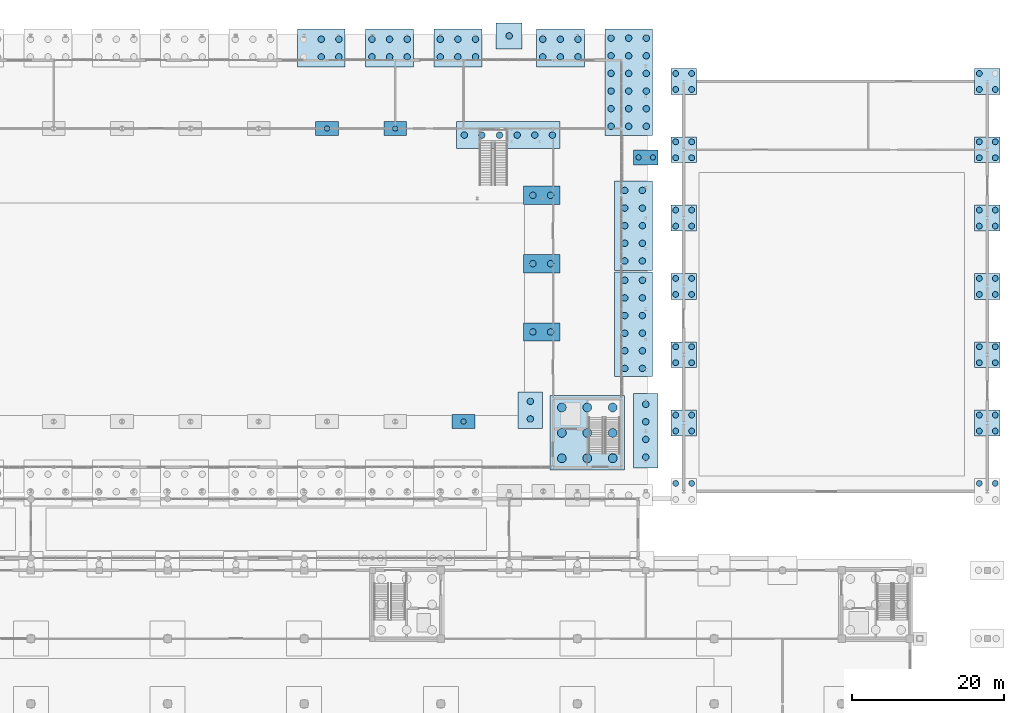
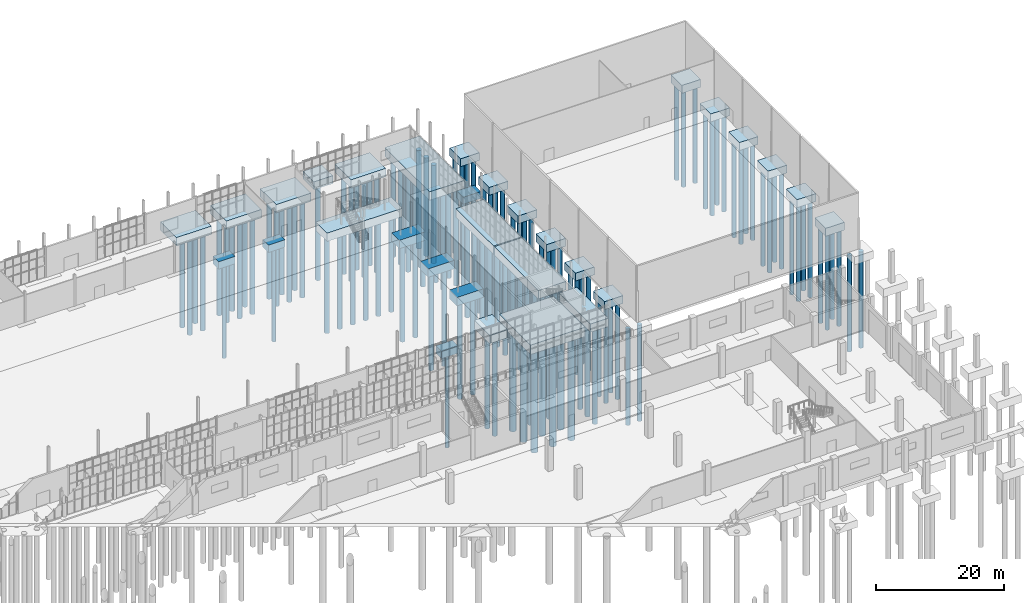
# One storey, part 7 of 131: 146 piles, 31 footings.
"""IFC4 building model written with IfcOpenShell, lengths in metres."""

from ifc_helpers import new_model, si_unit, direction, frame, origin, origin_2d, place, context, subcontext, project, spatial, rectangle, circle, extrude, material, material_profile, profile_set, type_object, element, save


model = new_model("IFC4")

# Units and contexts
model_context = context("Model", 3, precision=1e-05, world=origin(), true_north=direction((0.0, 1.0)))
body_context = subcontext(model_context, "Body", "Model", "MODEL_VIEW")
ifc_project = project(units=[si_unit("LENGTHUNIT", "METRE"), si_unit("AREAUNIT", "SQUARE_METRE"), si_unit("VOLUMEUNIT", "CUBIC_METRE"), si_unit("PLANEANGLEUNIT", "RADIAN"), si_unit("MASSUNIT", "GRAM", prefix="KILO")], contexts=[model_context])

# Site, building, storey
site_placement = place(None, origin())
site = spatial("IfcSite", under=ifc_project, at=site_placement, CompositionType="ELEMENT")
building_placement = place(site_placement, origin())
building = spatial("IfcBuilding", under=site, at=building_placement, Name="Cazmaro Siding Exhibition Halls", CompositionType="ELEMENT")
storey_placement = place(building_placement, origin())
storey = spatial("IfcBuildingStorey", under=building, at=storey_placement, Name="L00", CompositionType="ELEMENT", Elevation=0.0)

# Piles
ifc_material_1 = material(Name="Concrete f'c 35 MPa", Category="concrete")
ifc_material_profile_1 = material_profile(ifc_material_1, circle(Radius=0.35009765625, at=origin_2d()), Name="CIDH-700")
ifc_profile_set_1 = profile_set([ifc_material_profile_1], Name="Concrete f'c 35 MPa")
pile_type_1 = type_object("IfcPileType", Name="P-01", PredefinedType="BORED", material=ifc_profile_set_1)
for number, where, z_axis, x_axis, name in (
    (1, (129.0, 111.800048828125, -1.300048828125), (0.0, 0.0, -1.0), (1.0, 0.0, 0.0), "Bored pile P-01 PIL-0533"),
    (2, (138.0, 111.800048828125, -1.300048828125), (0.0, 0.0, -1.0), (1.0, 0.0, 0.0), "Bored pile P-01 PIL-0553"),
    (3, (147.0, 73.199951171875, -1.300048828125), (0.0, 0.0, -1.0), (1.0, 0.0, 0.0), "Bored pile P-01 PIL-0575"),
    (4, (170.054931640625, 108.0, -1.25), (0.0, 0.0, -1.0), (1.0, 0.0, 0.0), "Bored pile P-01 PIL-0659"),
    (5, (171.945068359375, 108.0, -1.25), (0.0, 0.0, -1.0), (1.0, 0.0, 0.0), "Bored pile P-01 PIL-0660"),
):
    element("IfcPile", number, at=place(storey_placement, frame(where, z_axis=z_axis, x_axis=x_axis)), inside=storey, type_object=pile_type_1, Name=name, PredefinedType="BORED", context=body_context, shape_type="SweptSolid", body=[
        extrude(circle(Radius=0.35009765625, at=origin_2d()), origin(), (0.0, 0.0, 1.0), 18.0),
    ])
ifc_material_2 = material(Name="Concrete f'c 35 MPa", Category="concrete")
ifc_material_profile_2 = material_profile(ifc_material_2, circle(Radius=0.389892578125, at=origin_2d()), Name="CIDH-780")
ifc_profile_set_2 = profile_set([ifc_material_profile_2], Name="Concrete f'c 35 MPa")
pile_type_2 = type_object("IfcPileType", Name="P-02", PredefinedType="BORED", material=ifc_profile_set_2)
for number, where, z_axis, x_axis, name in (
    (6, (174.947021484375, 65.052978515625, -1.39990234375), (0.0, 0.0, -1.0), (1.0, 0.0, 0.0), "Bored pile P-02 PIL-0663"),
    (7, (177.052978515625, 65.052978515625, -1.39990234375), (0.0, 0.0, -1.0), (1.0, 0.0, 0.0), "Bored pile P-02 PIL-0664"),
    (8, (174.947021484375, 71.947021484375, -1.39990234375), (0.0, 0.0, -1.0), (1.0, 0.0, 0.0), "Bored pile P-02 PIL-0665"),
    (9, (177.052978515625, 71.947021484375, -1.39990234375), (0.0, 0.0, -1.0), (1.0, 0.0, 0.0), "Bored pile P-02 PIL-0666"),
    (10, (174.947021484375, 74.052978515625, -1.39990234375), (0.0, 0.0, -1.0), (1.0, 0.0, 0.0), "Bored pile P-02 PIL-0667"),
    (11, (177.052978515625, 74.052978515625, -1.39990234375), (0.0, 0.0, -1.0), (1.0, 0.0, 0.0), "Bored pile P-02 PIL-0668"),
    (12, (174.947021484375, 80.947021484375, -1.39990234375), (0.0, 0.0, -1.0), (1.0, 0.0, 0.0), "Bored pile P-02 PIL-0669"),
    (13, (177.052978515625, 80.947021484375, -1.39990234375), (0.0, 0.0, -1.0), (1.0, 0.0, 0.0), "Bored pile P-02 PIL-0670"),
    (14, (174.947021484375, 83.052978515625, -1.39990234375), (0.0, 0.0, -1.0), (1.0, 0.0, 0.0), "Bored pile P-02 PIL-0671"),
    (15, (177.052978515625, 83.052978515625, -1.39990234375), (0.0, 0.0, -1.0), (1.0, 0.0, 0.0), "Bored pile P-02 PIL-0672"),
    (16, (174.947021484375, 89.947021484375, -1.39990234375), (0.0, 0.0, -1.0), (1.0, 0.0, 0.0), "Bored pile P-02 PIL-0673"),
    (17, (177.052978515625, 89.947021484375, -1.39990234375), (0.0, 0.0, -1.0), (1.0, 0.0, 0.0), "Bored pile P-02 PIL-0674"),
    (18, (174.947021484375, 92.052978515625, -1.39990234375), (0.0, 0.0, -1.0), (1.0, 0.0, 0.0), "Bored pile P-02 PIL-0675"),
    (19, (177.052978515625, 92.052978515625, -1.39990234375), (0.0, 0.0, -1.0), (1.0, 0.0, 0.0), "Bored pile P-02 PIL-0676"),
    (20, (174.947021484375, 98.947021484375, -1.39990234375), (0.0, 0.0, -1.0), (1.0, 0.0, 0.0), "Bored pile P-02 PIL-0677"),
    (21, (177.052978515625, 98.947021484375, -1.39990234375), (0.0, 0.0, -1.0), (1.0, 0.0, 0.0), "Bored pile P-02 PIL-0678"),
    (22, (174.947021484375, 101.052978515625, -1.39990234375), (0.0, 0.0, -1.0), (1.0, 0.0, 0.0), "Bored pile P-02 PIL-0679"),
    (23, (177.052978515625, 101.052978515625, -1.39990234375), (0.0, 0.0, -1.0), (1.0, 0.0, 0.0), "Bored pile P-02 PIL-0680"),
    (24, (174.947021484375, 107.947021484375, -1.39990234375), (0.0, 0.0, -1.0), (1.0, 0.0, 0.0), "Bored pile P-02 PIL-0681"),
    (25, (177.052978515625, 107.947021484375, -1.39990234375), (0.0, 0.0, -1.0), (1.0, 0.0, 0.0), "Bored pile P-02 PIL-0682"),
    (26, (174.947021484375, 110.052978515625, -1.39990234375), (0.0, 0.0, -1.0), (1.0, 0.0, 0.0), "Bored pile P-02 PIL-0683"),
    (27, (177.052978515625, 110.052978515625, -1.39990234375), (0.0, 0.0, -1.0), (1.0, 0.0, 0.0), "Bored pile P-02 PIL-0684"),
    (28, (174.947021484375, 116.947021484375, -1.39990234375), (0.0, 0.0, -1.0), (1.0, 0.0, 0.0), "Bored pile P-02 PIL-0685"),
    (29, (177.052978515625, 116.947021484375, -1.39990234375), (0.0, 0.0, -1.0), (1.0, 0.0, 0.0), "Bored pile P-02 PIL-0686"),
    (30, (174.947021484375, 119.052978515625, -1.39990234375), (0.0, 0.0, -1.0), (1.0, 0.0, 0.0), "Bored pile P-02 PIL-0687"),
    (31, (177.052978515625, 119.052978515625, -1.39990234375), (0.0, 0.0, -1.0), (1.0, 0.0, 0.0), "Bored pile P-02 PIL-0688"),
    (32, (214.947021484375, 65.052978515625, -1.39990234375), (0.0, 0.0, -1.0), (1.0, 0.0, 0.0), "Bored pile P-02 PIL-0733"),
    (33, (217.052978515625, 65.052978515625, -1.39990234375), (0.0, 0.0, -1.0), (1.0, 0.0, 0.0), "Bored pile P-02 PIL-0734"),
    (34, (214.947021484375, 71.947021484375, -1.39990234375), (0.0, 0.0, -1.0), (1.0, 0.0, 0.0), "Bored pile P-02 PIL-0735"),
    (35, (217.052978515625, 71.947021484375, -1.39990234375), (0.0, 0.0, -1.0), (1.0, 0.0, 0.0), "Bored pile P-02 PIL-0736"),
    (36, (214.947021484375, 74.052978515625, -1.39990234375), (0.0, 0.0, -1.0), (1.0, 0.0, 0.0), "Bored pile P-02 PIL-0737"),
    (37, (217.052978515625, 74.052978515625, -1.39990234375), (0.0, 0.0, -1.0), (1.0, 0.0, 0.0), "Bored pile P-02 PIL-0738"),
    (38, (214.947021484375, 80.947021484375, -1.39990234375), (0.0, 0.0, -1.0), (1.0, 0.0, 0.0), "Bored pile P-02 PIL-0739"),
    (39, (217.052978515625, 80.947021484375, -1.39990234375), (0.0, 0.0, -1.0), (1.0, 0.0, 0.0), "Bored pile P-02 PIL-0740"),
    (40, (214.947021484375, 83.052978515625, -1.39990234375), (0.0, 0.0, -1.0), (1.0, 0.0, 0.0), "Bored pile P-02 PIL-0741"),
    (41, (217.052978515625, 83.052978515625, -1.39990234375), (0.0, 0.0, -1.0), (1.0, 0.0, 0.0), "Bored pile P-02 PIL-0742"),
    (42, (214.947021484375, 89.947021484375, -1.39990234375), (0.0, 0.0, -1.0), (1.0, 0.0, 0.0), "Bored pile P-02 PIL-0743"),
    (43, (217.052978515625, 89.947021484375, -1.39990234375), (0.0, 0.0, -1.0), (1.0, 0.0, 0.0), "Bored pile P-02 PIL-0744"),
    (44, (214.947021484375, 92.052978515625, -1.39990234375), (0.0, 0.0, -1.0), (1.0, 0.0, 0.0), "Bored pile P-02 PIL-0745"),
    (45, (217.052978515625, 92.052978515625, -1.39990234375), (0.0, 0.0, -1.0), (1.0, 0.0, 0.0), "Bored pile P-02 PIL-0746"),
    (46, (214.947021484375, 98.947021484375, -1.39990234375), (0.0, 0.0, -1.0), (1.0, 0.0, 0.0), "Bored pile P-02 PIL-0747"),
    (47, (217.052978515625, 98.947021484375, -1.39990234375), (0.0, 0.0, -1.0), (1.0, 0.0, 0.0), "Bored pile P-02 PIL-0748"),
    (48, (214.947021484375, 101.052978515625, -1.39990234375), (0.0, 0.0, -1.0), (1.0, 0.0, 0.0), "Bored pile P-02 PIL-0749"),
    (49, (217.052978515625, 101.052978515625, -1.39990234375), (0.0, 0.0, -1.0), (1.0, 0.0, 0.0), "Bored pile P-02 PIL-0750"),
    (50, (214.947021484375, 107.947021484375, -1.39990234375), (0.0, 0.0, -1.0), (1.0, 0.0, 0.0), "Bored pile P-02 PIL-0751"),
    (51, (217.052978515625, 107.947021484375, -1.39990234375), (0.0, 0.0, -1.0), (1.0, 0.0, 0.0), "Bored pile P-02 PIL-0752"),
    (52, (214.947021484375, 110.052978515625, -1.39990234375), (0.0, 0.0, -1.0), (1.0, 0.0, 0.0), "Bored pile P-02 PIL-0753"),
    (53, (217.052978515625, 110.052978515625, -1.39990234375), (0.0, 0.0, -1.0), (1.0, 0.0, 0.0), "Bored pile P-02 PIL-0754"),
    (54, (214.947021484375, 116.947021484375, -1.39990234375), (0.0, 0.0, -1.0), (1.0, 0.0, 0.0), "Bored pile P-02 PIL-0755"),
    (55, (217.052978515625, 116.947021484375, -1.39990234375), (0.0, 0.0, -1.0), (1.0, 0.0, 0.0), "Bored pile P-02 PIL-0756"),
    (56, (214.947021484375, 119.052978515625, -1.39990234375), (0.0, 0.0, -1.0), (1.0, 0.0, 0.0), "Bored pile P-02 PIL-0757"),
):
    element("IfcPile", number, at=place(storey_placement, frame(where, z_axis=z_axis, x_axis=x_axis)), inside=storey, type_object=pile_type_2, Name=name, PredefinedType="BORED", context=body_context, shape_type="SweptSolid", body=[
        extrude(circle(Radius=0.389892578125, at=origin_2d()), origin(), (0.0, 0.0, 1.0), 18.39990234375),
    ])
ifc_material_3 = material(Name="Concrete f'c 35 MPa", Category="concrete")
ifc_material_profile_3 = material_profile(ifc_material_3, circle(Radius=0.429931640625, at=origin_2d()), Name="CIDH-860")
ifc_profile_set_3 = profile_set([ifc_material_profile_3], Name="Concrete f'c 35 MPa")
pile_type_3 = type_object("IfcPileType", Name="P-03", PredefinedType="BORED", material=ifc_profile_set_3)
for number, where, z_axis, x_axis, name in (
    (57, (128.25, 121.239013671875, -1.5), (0.0, 0.0, -1.0), (1.0, 0.0, 0.0), "Bored pile P-03 PIL-0528"),
    (58, (128.25, 123.56103515625, -1.5), (0.0, 0.0, -1.0), (1.0, 0.0, 0.0), "Bored pile P-03 PIL-0529"),
    (59, (130.572021484375, 121.239013671875, -1.5), (0.0, 0.0, -1.0), (1.0, 0.0, 0.0), "Bored pile P-03 PIL-0530"),
    (60, (130.572021484375, 123.56103515625, -1.5), (0.0, 0.0, -1.0), (1.0, 0.0, 0.0), "Bored pile P-03 PIL-0531"),
    (61, (134.927978515625, 121.239013671875, -1.5), (0.0, 0.0, -1.0), (1.0, 0.0, 0.0), "Bored pile P-03 PIL-0546"),
    (62, (134.927978515625, 123.56103515625, -1.5), (0.0, 0.0, -1.0), (1.0, 0.0, 0.0), "Bored pile P-03 PIL-0547"),
    (63, (137.25, 121.239013671875, -1.5), (0.0, 0.0, -1.0), (1.0, 0.0, 0.0), "Bored pile P-03 PIL-0548"),
    (64, (137.25, 123.56103515625, -1.5), (0.0, 0.0, -1.0), (1.0, 0.0, 0.0), "Bored pile P-03 PIL-0549"),
    (65, (139.572021484375, 121.239013671875, -1.5), (0.0, 0.0, -1.0), (1.0, 0.0, 0.0), "Bored pile P-03 PIL-0550"),
    (66, (139.572021484375, 123.56103515625, -1.5), (0.0, 0.0, -1.0), (1.0, 0.0, 0.0), "Bored pile P-03 PIL-0551"),
    (67, (143.927978515625, 121.239013671875, -1.5), (0.0, 0.0, -1.0), (1.0, 0.0, 0.0), "Bored pile P-03 PIL-0567"),
    (68, (143.927978515625, 123.56103515625, -1.5), (0.0, 0.0, -1.0), (1.0, 0.0, 0.0), "Bored pile P-03 PIL-0568"),
    (69, (146.25, 121.239013671875, -1.5), (0.0, 0.0, -1.0), (1.0, 0.0, 0.0), "Bored pile P-03 PIL-0569"),
    (70, (146.25, 123.56103515625, -1.5), (0.0, 0.0, -1.0), (1.0, 0.0, 0.0), "Bored pile P-03 PIL-0570"),
    (71, (148.572021484375, 121.239013671875, -1.5), (0.0, 0.0, -1.0), (1.0, 0.0, 0.0), "Bored pile P-03 PIL-0571"),
    (72, (148.572021484375, 123.56103515625, -1.5), (0.0, 0.0, -1.0), (1.0, 0.0, 0.0), "Bored pile P-03 PIL-0572"),
    (73, (147.094970703125, 110.93505859375, -1.5), (0.0, 0.0, -1.0), (1.0, 0.0, 0.0), "Bored pile P-03 PIL-0576"),
    (74, (149.4169921875, 110.93505859375, -1.5), (0.0, 0.0, -1.0), (1.0, 0.0, 0.0), "Bored pile P-03 PIL-0577"),
    (75, (151.739013671875, 110.93505859375, -1.5), (0.0, 0.0, -1.0), (1.0, 0.0, 0.0), "Bored pile P-03 PIL-0578"),
    (76, (154.06103515625, 110.93505859375, -1.5), (0.0, 0.0, -1.0), (1.0, 0.0, 0.0), "Bored pile P-03 PIL-0579"),
    (77, (156.383056640625, 110.93505859375, -1.5), (0.0, 0.0, -1.0), (1.0, 0.0, 0.0), "Bored pile P-03 PIL-0580"),
    (78, (158.705078125, 110.93505859375, -1.5), (0.0, 0.0, -1.0), (1.0, 0.0, 0.0), "Bored pile P-03 PIL-0581"),
    (79, (153.0, 124.0, -1.39990234375), (0.0, 0.0, -1.0), (1.0, 0.0, 0.0), "Bored pile P-03 PIL-0585"),
    (80, (155.800048828125, 73.5390625, -1.5), (0.0, 0.0, -1.0), (1.0, 0.0, 0.0), "Bored pile P-03 PIL-0586"),
    (81, (155.800048828125, 75.861083984375, -1.5), (0.0, 0.0, -1.0), (1.0, 0.0, 0.0), "Bored pile P-03 PIL-0587"),
    (82, (156.138916015625, 85.0, -1.5), (0.0, 0.0, -1.0), (1.0, 0.0, 0.0), "Bored pile P-03 PIL-0588"),
    (83, (158.4609375, 85.0, -1.5), (0.0, 0.0, -1.0), (1.0, 0.0, 0.0), "Bored pile P-03 PIL-0589"),
    (84, (156.138916015625, 94.0, -1.5), (0.0, 0.0, -1.0), (1.0, 0.0, 0.0), "Bored pile P-03 PIL-0590"),
    (85, (158.4609375, 94.0, -1.5), (0.0, 0.0, -1.0), (1.0, 0.0, 0.0), "Bored pile P-03 PIL-0591"),
    (86, (156.138916015625, 103.0, -1.5), (0.0, 0.0, -1.0), (1.0, 0.0, 0.0), "Bored pile P-03 PIL-0592"),
    (87, (158.4609375, 103.0, -1.5), (0.0, 0.0, -1.0), (1.0, 0.0, 0.0), "Bored pile P-03 PIL-0593"),
    (88, (157.427978515625, 121.239013671875, -1.5), (0.0, 0.0, -1.0), (1.0, 0.0, 0.0), "Bored pile P-03 PIL-0595"),
    (89, (157.427978515625, 123.56103515625, -1.5), (0.0, 0.0, -1.0), (1.0, 0.0, 0.0), "Bored pile P-03 PIL-0596"),
    (90, (159.75, 121.239013671875, -1.5), (0.0, 0.0, -1.0), (1.0, 0.0, 0.0), "Bored pile P-03 PIL-0597"),
    (91, (159.75, 123.56103515625, -1.5), (0.0, 0.0, -1.0), (1.0, 0.0, 0.0), "Bored pile P-03 PIL-0598"),
    (92, (162.072021484375, 121.239013671875, -1.5), (0.0, 0.0, -1.0), (1.0, 0.0, 0.0), "Bored pile P-03 PIL-0599"),
    (93, (162.072021484375, 123.56103515625, -1.5), (0.0, 0.0, -1.0), (1.0, 0.0, 0.0), "Bored pile P-03 PIL-0600"),
    (94, (166.427978515625, 112.094970703125, -1.5), (0.0, 0.0, -1.0), (1.0, 0.0, 0.0), "Bored pile P-03 PIL-0613"),
    (95, (166.427978515625, 114.4169921875, -1.5), (0.0, 0.0, -1.0), (1.0, 0.0, 0.0), "Bored pile P-03 PIL-0614"),
    (96, (166.427978515625, 116.739013671875, -1.5), (0.0, 0.0, -1.0), (1.0, 0.0, 0.0), "Bored pile P-03 PIL-0615"),
    (97, (166.427978515625, 119.06103515625, -1.5), (0.0, 0.0, -1.0), (1.0, 0.0, 0.0), "Bored pile P-03 PIL-0616"),
    (98, (166.427978515625, 121.383056640625, -1.5), (0.0, 0.0, -1.0), (1.0, 0.0, 0.0), "Bored pile P-03 PIL-0617"),
    (99, (166.427978515625, 123.705078125, -1.5), (0.0, 0.0, -1.0), (1.0, 0.0, 0.0), "Bored pile P-03 PIL-0618"),
    (100, (168.75, 112.094970703125, -1.5), (0.0, 0.0, -1.0), (1.0, 0.0, 0.0), "Bored pile P-03 PIL-0619"),
    (101, (168.75, 114.4169921875, -1.5), (0.0, 0.0, -1.0), (1.0, 0.0, 0.0), "Bored pile P-03 PIL-0620"),
    (102, (168.75, 116.739013671875, -1.5), (0.0, 0.0, -1.0), (1.0, 0.0, 0.0), "Bored pile P-03 PIL-0621"),
    (103, (168.75, 119.06103515625, -1.5), (0.0, 0.0, -1.0), (1.0, 0.0, 0.0), "Bored pile P-03 PIL-0622"),
    (104, (168.75, 121.383056640625, -1.5), (0.0, 0.0, -1.0), (1.0, 0.0, 0.0), "Bored pile P-03 PIL-0623"),
    (105, (168.75, 123.705078125, -1.5), (0.0, 0.0, -1.0), (1.0, 0.0, 0.0), "Bored pile P-03 PIL-0624"),
    (106, (171.072021484375, 112.094970703125, -1.5), (0.0, 0.0, -1.0), (1.0, 0.0, 0.0), "Bored pile P-03 PIL-0625"),
    (107, (171.072021484375, 114.4169921875, -1.5), (0.0, 0.0, -1.0), (1.0, 0.0, 0.0), "Bored pile P-03 PIL-0626"),
    (108, (171.072021484375, 116.739013671875, -1.5), (0.0, 0.0, -1.0), (1.0, 0.0, 0.0), "Bored pile P-03 PIL-0627"),
    (109, (171.072021484375, 119.06103515625, -1.5), (0.0, 0.0, -1.0), (1.0, 0.0, 0.0), "Bored pile P-03 PIL-0628"),
    (110, (171.072021484375, 121.383056640625, -1.5), (0.0, 0.0, -1.0), (1.0, 0.0, 0.0), "Bored pile P-03 PIL-0629"),
    (111, (171.072021484375, 123.705078125, -1.5), (0.0, 0.0, -1.0), (1.0, 0.0, 0.0), "Bored pile P-03 PIL-0630"),
    (112, (168.239013671875, 80.195068359375, -1.5), (0.0, 0.0, -1.0), (1.0, 0.0, 0.0), "Bored pile P-03 PIL-0631"),
    (113, (168.239013671875, 82.51708984375, -1.5), (0.0, 0.0, -1.0), (1.0, 0.0, 0.0), "Bored pile P-03 PIL-0632"),
    (114, (168.239013671875, 84.839111328125, -1.5), (0.0, 0.0, -1.0), (1.0, 0.0, 0.0), "Bored pile P-03 PIL-0633"),
    (115, (168.239013671875, 87.160888671875, -1.5), (0.0, 0.0, -1.0), (1.0, 0.0, 0.0), "Bored pile P-03 PIL-0634"),
    (116, (168.239013671875, 89.48291015625, -1.5), (0.0, 0.0, -1.0), (1.0, 0.0, 0.0), "Bored pile P-03 PIL-0635"),
    (117, (168.239013671875, 91.804931640625, -1.5), (0.0, 0.0, -1.0), (1.0, 0.0, 0.0), "Bored pile P-03 PIL-0636"),
    (118, (170.56103515625, 80.195068359375, -1.5), (0.0, 0.0, -1.0), (1.0, 0.0, 0.0), "Bored pile P-03 PIL-0637"),
    (119, (170.56103515625, 82.51708984375, -1.5), (0.0, 0.0, -1.0), (1.0, 0.0, 0.0), "Bored pile P-03 PIL-0638"),
    (120, (170.56103515625, 84.839111328125, -1.5), (0.0, 0.0, -1.0), (1.0, 0.0, 0.0), "Bored pile P-03 PIL-0639"),
    (121, (170.56103515625, 87.160888671875, -1.5), (0.0, 0.0, -1.0), (1.0, 0.0, 0.0), "Bored pile P-03 PIL-0640"),
    (122, (170.56103515625, 89.48291015625, -1.5), (0.0, 0.0, -1.0), (1.0, 0.0, 0.0), "Bored pile P-03 PIL-0641"),
    (123, (170.56103515625, 91.804931640625, -1.5), (0.0, 0.0, -1.0), (1.0, 0.0, 0.0), "Bored pile P-03 PIL-0642"),
    (124, (168.239013671875, 94.35595703125, -1.5), (0.0, 0.0, -1.0), (1.0, 0.0, 0.0), "Bored pile P-03 PIL-0643"),
    (125, (168.239013671875, 96.677978515625, -1.5), (0.0, 0.0, -1.0), (1.0, 0.0, 0.0), "Bored pile P-03 PIL-0644"),
    (126, (168.239013671875, 99.0, -1.5), (0.0, 0.0, -1.0), (1.0, 0.0, 0.0), "Bored pile P-03 PIL-0645"),
    (127, (168.239013671875, 101.322021484375, -1.5), (0.0, 0.0, -1.0), (1.0, 0.0, 0.0), "Bored pile P-03 PIL-0646"),
    (128, (168.239013671875, 103.64404296875, -1.5), (0.0, 0.0, -1.0), (1.0, 0.0, 0.0), "Bored pile P-03 PIL-0647"),
    (129, (170.56103515625, 94.35595703125, -1.5), (0.0, 0.0, -1.0), (1.0, 0.0, 0.0), "Bored pile P-03 PIL-0648"),
    (130, (170.56103515625, 96.677978515625, -1.5), (0.0, 0.0, -1.0), (1.0, 0.0, 0.0), "Bored pile P-03 PIL-0649"),
    (131, (170.56103515625, 99.0, -1.5), (0.0, 0.0, -1.0), (1.0, 0.0, 0.0), "Bored pile P-03 PIL-0650"),
    (132, (170.56103515625, 101.322021484375, -1.5), (0.0, 0.0, -1.0), (1.0, 0.0, 0.0), "Bored pile P-03 PIL-0651"),
    (133, (170.56103515625, 103.64404296875, -1.5), (0.0, 0.0, -1.0), (1.0, 0.0, 0.0), "Bored pile P-03 PIL-0652"),
    (134, (171.0, 68.51708984375, -1.5), (0.0, 0.0, -1.0), (1.0, 0.0, 0.0), "Bored pile P-03 PIL-0655"),
    (135, (171.0, 70.839111328125, -1.5), (0.0, 0.0, -1.0), (1.0, 0.0, 0.0), "Bored pile P-03 PIL-0656"),
    (136, (171.0, 73.160888671875, -1.5), (0.0, 0.0, -1.0), (1.0, 0.0, 0.0), "Bored pile P-03 PIL-0657"),
    (137, (171.0, 75.48291015625, -1.5), (0.0, 0.0, -1.0), (1.0, 0.0, 0.0), "Bored pile P-03 PIL-0658"),
):
    element("IfcPile", number, at=place(storey_placement, frame(where, z_axis=z_axis, x_axis=x_axis)), inside=storey, type_object=pile_type_3, Name=name, PredefinedType="BORED", context=body_context, shape_type="SweptSolid", body=[
        extrude(circle(Radius=0.429931640625, at=origin_2d()), origin(), (0.0, 0.0, 1.0), 18.800048828125),
    ])
ifc_material_4 = material(Name="Concrete f'c 35 MPa", Category="concrete")
ifc_material_profile_4 = material_profile(ifc_material_4, circle(Radius=0.580078125, at=origin_2d()), Name="CIDH-1160")
ifc_profile_set_4 = profile_set([ifc_material_profile_4], Name="Concrete f'c 35 MPa")
pile_type_4 = type_object("IfcPileType", Name="P-06", PredefinedType="BORED", material=ifc_profile_set_4)
for number, where, z_axis, x_axis, name in (
    (138, (159.949951171875, 68.35009765625, -1.699951171875), (0.0, 0.0, -1.0), (1.0, 0.0, 0.0), "Bored pile P-06 PIL-0025"),
    (139, (159.949951171875, 71.699951171875, -1.699951171875), (0.0, 0.0, -1.0), (1.0, 0.0, 0.0), "Bored pile P-06 PIL-0026"),
    (140, (159.949951171875, 75.050048828125, -1.699951171875), (0.0, 0.0, -1.0), (1.0, 0.0, 0.0), "Bored pile P-06 PIL-0027"),
    (141, (163.300048828125, 68.35009765625, -1.699951171875), (0.0, 0.0, -1.0), (1.0, 0.0, 0.0), "Bored pile P-06 PIL-0028"),
    (142, (163.300048828125, 71.699951171875, -1.699951171875), (0.0, 0.0, -1.0), (1.0, 0.0, 0.0), "Bored pile P-06 PIL-0029"),
    (143, (163.300048828125, 75.050048828125, -1.699951171875), (0.0, 0.0, -1.0), (1.0, 0.0, 0.0), "Bored pile P-06 PIL-0030"),
    (144, (166.64990234375, 68.35009765625, -1.699951171875), (0.0, 0.0, -1.0), (1.0, 0.0, 0.0), "Bored pile P-06 PIL-0031"),
    (145, (166.64990234375, 71.699951171875, -1.699951171875), (0.0, 0.0, -1.0), (1.0, 0.0, 0.0), "Bored pile P-06 PIL-0032"),
    (146, (166.64990234375, 75.050048828125, -1.699951171875), (0.0, 0.0, -1.0), (1.0, 0.0, 0.0), "Bored pile P-06 PIL-0033"),
):
    element("IfcPile", number, at=place(storey_placement, frame(where, z_axis=z_axis, x_axis=x_axis)), inside=storey, type_object=pile_type_4, Name=name, PredefinedType="BORED", context=body_context, shape_type="SweptSolid", body=[
        extrude(circle(Radius=0.580078125, at=origin_2d()), origin(), (0.0, 0.0, 1.0), 20.0),
    ])

# Footings
ifc_material_5 = material(Name="Concrete f'c 35 MPa", Category="concrete")
footing_type_1 = type_object("IfcFootingType", Name="PC-01", PredefinedType="PILE_CAP", material=ifc_material_5)
for number, where, z_axis, x_axis, name in (
    (147, (129.0, 111.800048828125, -1.39990234375), (0.0, 0.0, 1.0), (1.0, 0.0, 0.0), "Pile cap PC-01 FTG-0157"),
    (148, (138.0, 111.800048828125, -1.39990234375), (0.0, 0.0, 1.0), (1.0, 0.0, 0.0), "Pile cap PC-01 FTG-0164"),
    (149, (147.0, 73.199951171875, -1.39990234375), (0.0, 0.0, 1.0), (1.0, 0.0, 0.0), "Pile cap PC-01 FTG-0173"),
):
    element("IfcFooting", number, at=place(storey_placement, frame(where, z_axis=z_axis, x_axis=x_axis)), inside=storey, type_object=footing_type_1, Name=name, PredefinedType="PILE_CAP", context=body_context, shape_type="SweptSolid", body=[
        extrude(rectangle(XDim=3.0, YDim=1.800048828125, at=origin_2d()), origin(), (0.0, 0.0, 1.0), 1.39990234375),
    ])
ifc_material_6 = material(Name="Concrete f'c 35 MPa", Category="concrete")
footing_type_2 = type_object("IfcFootingType", Name="PC-02", PredefinedType="PILE_CAP", material=ifc_material_6)
for number, where, z_axis, x_axis, name in (
    (150, (153.0, 124.0, -1.5), (0.0, 0.0, 1.0), (1.0, 0.0, 0.0), "Pile cap PC-02 FTG-0178"),
    (151, (176.0, 73.0, -1.5), (0.0, 0.0, 1.0), (1.0, 0.0, 0.0), "Pile cap PC-02 FTG-0202"),
    (152, (176.0, 82.0, -1.5), (0.0, 0.0, 1.0), (1.0, 0.0, 0.0), "Pile cap PC-02 FTG-0203"),
    (153, (176.0, 91.0, -1.5), (0.0, 0.0, 1.0), (1.0, 0.0, 0.0), "Pile cap PC-02 FTG-0204"),
    (154, (176.0, 100.0, -1.5), (0.0, 0.0, 1.0), (1.0, 0.0, 0.0), "Pile cap PC-02 FTG-0205"),
    (155, (176.0, 109.0, -1.5), (0.0, 0.0, 1.0), (1.0, 0.0, 0.0), "Pile cap PC-02 FTG-0206"),
    (156, (176.0, 118.0, -1.5), (0.0, 0.0, 1.0), (1.0, 0.0, 0.0), "Pile cap PC-02 FTG-0207"),
    (157, (216.0, 73.0, -1.5), (0.0, 0.0, 1.0), (1.0, 0.0, 0.0), "Pile cap PC-02 FTG-0237"),
    (158, (216.0, 82.0, -1.5), (0.0, 0.0, 1.0), (1.0, 0.0, 0.0), "Pile cap PC-02 FTG-0238"),
    (159, (216.0, 91.0, -1.5), (0.0, 0.0, 1.0), (1.0, 0.0, 0.0), "Pile cap PC-02 FTG-0239"),
    (160, (216.0, 100.0, -1.5), (0.0, 0.0, 1.0), (1.0, 0.0, 0.0), "Pile cap PC-02 FTG-0240"),
    (161, (216.0, 109.0, -1.5), (0.0, 0.0, 1.0), (1.0, 0.0, 0.0), "Pile cap PC-02 FTG-0241"),
    (162, (216.0, 118.0, -1.5), (0.0, 0.0, 1.0), (1.0, 0.0, 0.0), "Pile cap PC-02 FTG-0242"),
):
    element("IfcFooting", number, at=place(storey_placement, frame(where, z_axis=z_axis, x_axis=x_axis)), inside=storey, type_object=footing_type_2, Name=name, PredefinedType="PILE_CAP", context=body_context, shape_type="SweptSolid", body=[
        extrude(rectangle(XDim=3.39990234375, YDim=3.39990234375, at=origin_2d()), origin(), (0.0, 0.0, 1.0), 1.5),
    ])
ifc_material_7 = material(Name="Concrete f'c 35 MPa", Category="concrete")
footing_type_3 = type_object("IfcFootingType", Name="PC-12", PredefinedType="PILE_CAP", material=ifc_material_7)
footing_1_placement = place(storey_placement, frame((163.300048828125, 71.699951171875, -1.7998046875), z_axis=(0.0, 0.0, 1.0), x_axis=(1.0, 0.0, 0.0)))
element("IfcFooting", 163, at=footing_1_placement, inside=storey, type_object=footing_type_3, Name="Pile cap PC-12 FTG-0003", PredefinedType="PILE_CAP", context=body_context, shape_type="SweptSolid", body=[
    extrude(rectangle(XDim=9.800048828125, YDim=9.800048828125, at=origin_2d()), origin(), (0.0, 0.0, 1.0), 1.800048828125),
])
ifc_material_8 = material(Name="Concrete f'c 35 MPa", Category="concrete")
footing_type_4 = type_object("IfcFootingType", Name="PC-16", PredefinedType="PILE_CAP", material=ifc_material_8)
footing_2_placement = place(storey_placement, frame((171.0, 108.0, -1.35009765625), z_axis=(0.0, 0.0, 1.0), x_axis=(1.0, 0.0, 0.0)))
element("IfcFooting", 164, at=footing_2_placement, inside=storey, type_object=footing_type_4, Name="Pile cap PC-16 FTG-0200", PredefinedType="PILE_CAP", context=body_context, shape_type="SweptSolid", body=[
    extrude(rectangle(XDim=3.199951171875, YDim=2.0, at=origin_2d()), origin(), (0.0, 0.0, 1.0), 1.35009765625),
])
ifc_material_9 = material(Name="Concrete f'c 35 MPa", Category="concrete")
footing_type_5 = type_object("IfcFootingType", Name="PC-63", PredefinedType="PILE_CAP", material=ifc_material_9)
footing_3_placement = place(storey_placement, frame((128.25, 122.39990234375, -1.60009765625), z_axis=(0.0, 0.0, 1.0), x_axis=(1.0, 0.0, 0.0)))
element("IfcFooting", 165, at=footing_3_placement, inside=storey, type_object=footing_type_5, Name="Pile cap PC-63 FTG-0155", PredefinedType="PILE_CAP", context=body_context, shape_type="SweptSolid", body=[
    extrude(rectangle(XDim=6.300048828125, YDim=5.0, at=origin_2d()), origin(), (0.0, 0.0, 1.0), 1.60009765625),
])
ifc_material_10 = material(Name="Concrete f'c 35 MPa", Category="concrete")
footing_type_6 = type_object("IfcFootingType", Name="PC-66", PredefinedType="PILE_CAP", material=ifc_material_10)
footing_4_placement = place(storey_placement, frame((137.25, 122.39990234375, -1.60009765625), z_axis=(0.0, 0.0, 1.0), x_axis=(1.0, 0.0, 0.0)))
element("IfcFooting", 166, at=footing_4_placement, inside=storey, type_object=footing_type_6, Name="Pile cap PC-66 FTG-0162", PredefinedType="PILE_CAP", context=body_context, shape_type="SweptSolid", body=[
    extrude(rectangle(XDim=6.300048828125, YDim=5.0, at=origin_2d()), origin(), (0.0, 0.0, 1.0), 1.60009765625),
])
ifc_material_11 = material(Name="Concrete f'c 35 MPa", Category="concrete")
footing_type_7 = type_object("IfcFootingType", Name="PC-69", PredefinedType="PILE_CAP", material=ifc_material_11)
footing_5_placement = place(storey_placement, frame((146.25, 122.39990234375, -1.60009765625), z_axis=(0.0, 0.0, 1.0), x_axis=(1.0, 0.0, 0.0)))
element("IfcFooting", 167, at=footing_5_placement, inside=storey, type_object=footing_type_7, Name="Pile cap PC-69 FTG-0171", PredefinedType="PILE_CAP", context=body_context, shape_type="SweptSolid", body=[
    extrude(rectangle(XDim=6.300048828125, YDim=5.0, at=origin_2d()), origin(), (0.0, 0.0, 1.0), 1.60009765625),
])
ifc_material_12 = material(Name="Concrete f'c 35 MPa", Category="concrete")
footing_type_8 = type_object("IfcFootingType", Name="PC-70", PredefinedType="PILE_CAP", material=ifc_material_12)
footing_6_placement = place(storey_placement, frame((152.89990234375, 110.93505859375, -1.60009765625), z_axis=(0.0, 0.0, 1.0), x_axis=(1.0, 0.0, 0.0)))
element("IfcFooting", 168, at=footing_6_placement, inside=storey, type_object=footing_type_8, Name="Pile cap PC-70 FTG-0174", PredefinedType="PILE_CAP", context=body_context, shape_type="SweptSolid", body=[
    extrude(rectangle(XDim=13.60009765625, YDim=3.530029296875, at=origin_2d()), origin(), (0.0, 0.0, 1.0), 1.60009765625),
])
ifc_material_13 = material(Name="Concrete f'c 35 MPa", Category="concrete")
footing_type_9 = type_object("IfcFootingType", Name="PC-73", PredefinedType="PILE_CAP", material=ifc_material_13)
footing_7_placement = place(storey_placement, frame((155.800048828125, 74.699951171875, -1.60009765625), z_axis=(0.0, 0.0, 1.0), x_axis=(1.0, 0.0, 0.0)))
element("IfcFooting", 169, at=footing_7_placement, inside=storey, type_object=footing_type_9, Name="Pile cap PC-73 FTG-0179", PredefinedType="PILE_CAP", context=body_context, shape_type="SweptSolid", body=[
    extrude(rectangle(XDim=3.199951171875, YDim=4.800048828125, at=origin_2d()), origin(), (0.0, 0.0, 1.0), 1.60009765625),
])
ifc_material_14 = material(Name="Concrete f'c 35 MPa", Category="concrete")
footing_type_10 = type_object("IfcFootingType", Name="PC-74", PredefinedType="PILE_CAP", material=ifc_material_14)
footing_8_placement = place(storey_placement, frame((157.300048828125, 85.0, -1.60009765625), z_axis=(0.0, 0.0, 1.0), x_axis=(1.0, 0.0, 0.0)))
element("IfcFooting", 170, at=footing_8_placement, inside=storey, type_object=footing_type_10, Name="Pile cap PC-74 FTG-0180", PredefinedType="PILE_CAP", context=body_context, shape_type="SweptSolid", body=[
    extrude(rectangle(XDim=4.800048828125, YDim=2.39990234375, at=origin_2d()), origin(), (0.0, 0.0, 1.0), 1.60009765625),
])
ifc_material_15 = material(Name="Concrete f'c 35 MPa", Category="concrete")
footing_type_11 = type_object("IfcFootingType", Name="PC-75", PredefinedType="PILE_CAP", material=ifc_material_15)
footing_9_placement = place(storey_placement, frame((157.300048828125, 94.0, -1.60009765625), z_axis=(0.0, 0.0, 1.0), x_axis=(1.0, 0.0, 0.0)))
element("IfcFooting", 171, at=footing_9_placement, inside=storey, type_object=footing_type_11, Name="Pile cap PC-75 FTG-0181", PredefinedType="PILE_CAP", context=body_context, shape_type="SweptSolid", body=[
    extrude(rectangle(XDim=4.800048828125, YDim=2.39990234375, at=origin_2d()), origin(), (0.0, 0.0, 1.0), 1.60009765625),
])
ifc_material_16 = material(Name="Concrete f'c 35 MPa", Category="concrete")
footing_type_12 = type_object("IfcFootingType", Name="PC-76", PredefinedType="PILE_CAP", material=ifc_material_16)
footing_10_placement = place(storey_placement, frame((157.300048828125, 103.0, -1.60009765625), z_axis=(0.0, 0.0, 1.0), x_axis=(1.0, 0.0, 0.0)))
element("IfcFooting", 172, at=footing_10_placement, inside=storey, type_object=footing_type_12, Name="Pile cap PC-76 FTG-0182", PredefinedType="PILE_CAP", context=body_context, shape_type="SweptSolid", body=[
    extrude(rectangle(XDim=4.800048828125, YDim=2.39990234375, at=origin_2d()), origin(), (0.0, 0.0, 1.0), 1.60009765625),
])
ifc_material_17 = material(Name="Concrete f'c 35 MPa", Category="concrete")
footing_type_13 = type_object("IfcFootingType", Name="PC-77", PredefinedType="PILE_CAP", material=ifc_material_17)
footing_11_placement = place(storey_placement, frame((159.75, 122.39990234375, -1.60009765625), z_axis=(0.0, 0.0, 1.0), x_axis=(1.0, 0.0, 0.0)))
element("IfcFooting", 173, at=footing_11_placement, inside=storey, type_object=footing_type_13, Name="Pile cap PC-77 FTG-0184", PredefinedType="PILE_CAP", context=body_context, shape_type="SweptSolid", body=[
    extrude(rectangle(XDim=6.300048828125, YDim=5.0, at=origin_2d()), origin(), (0.0, 0.0, 1.0), 1.60009765625),
])
ifc_material_18 = material(Name="Concrete f'c 35 MPa", Category="concrete")
footing_type_14 = type_object("IfcFootingType", Name="PC-82", PredefinedType="PILE_CAP", material=ifc_material_18)
footing_12_placement = place(storey_placement, frame((168.75, 117.89990234375, -1.60009765625), z_axis=(0.0, 0.0, 1.0), x_axis=(1.0, 0.0, 0.0)))
element("IfcFooting", 174, at=footing_12_placement, inside=storey, type_object=footing_type_14, Name="Pile cap PC-82 FTG-0194", PredefinedType="PILE_CAP", context=body_context, shape_type="SweptSolid", body=[
    extrude(rectangle(XDim=6.300048828125, YDim=14.0, at=origin_2d()), origin(), (0.0, 0.0, 1.0), 1.60009765625),
])
ifc_material_19 = material(Name="Concrete f'c 35 MPa", Category="concrete")
footing_type_15 = type_object("IfcFootingType", Name="PC-83", PredefinedType="PILE_CAP", material=ifc_material_19)
footing_13_placement = place(storey_placement, frame((169.39990234375, 86.0, -1.60009765625), z_axis=(0.0, 0.0, 1.0), x_axis=(1.0, 0.0, 0.0)))
element("IfcFooting", 175, at=footing_13_placement, inside=storey, type_object=footing_type_15, Name="Pile cap PC-83 FTG-0195", PredefinedType="PILE_CAP", context=body_context, shape_type="SweptSolid", body=[
    extrude(rectangle(XDim=5.0, YDim=13.800048828125, at=origin_2d()), origin(), (0.0, 0.0, 1.0), 1.60009765625),
])
ifc_material_20 = material(Name="Concrete f'c 35 MPa", Category="concrete")
footing_type_16 = type_object("IfcFootingType", Name="PC-84", PredefinedType="PILE_CAP", material=ifc_material_20)
footing_14_placement = place(storey_placement, frame((169.39990234375, 99.0, -1.60009765625), z_axis=(0.0, 0.0, 1.0), x_axis=(1.0, 0.0, 0.0)))
element("IfcFooting", 176, at=footing_14_placement, inside=storey, type_object=footing_type_16, Name="Pile cap PC-84 FTG-0196", PredefinedType="PILE_CAP", context=body_context, shape_type="SweptSolid", body=[
    extrude(rectangle(XDim=5.0, YDim=11.800048828125, at=origin_2d()), origin(), (0.0, 0.0, 1.0), 1.60009765625),
])
ifc_material_21 = material(Name="Concrete f'c 35 MPa", Category="concrete")
footing_type_17 = type_object("IfcFootingType", Name="PC-86", PredefinedType="PILE_CAP", material=ifc_material_21)
footing_15_placement = place(storey_placement, frame((171.0, 72.0, -1.60009765625), z_axis=(0.0, 0.0, 1.0), x_axis=(1.0, 0.0, 0.0)))
element("IfcFooting", 177, at=footing_15_placement, inside=storey, type_object=footing_type_17, Name="Pile cap PC-86 FTG-0199", PredefinedType="PILE_CAP", context=body_context, shape_type="SweptSolid", body=[
    extrude(rectangle(XDim=3.199951171875, YDim=9.800048828125, at=origin_2d()), origin(), (0.0, 0.0, 1.0), 1.60009765625),
])

save(model, "model.ifc")
